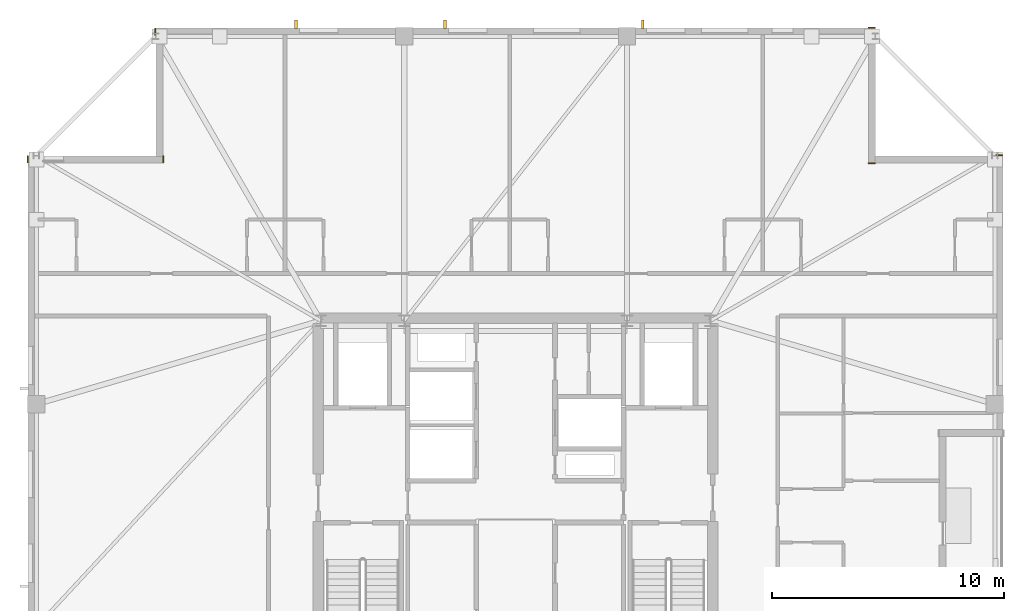
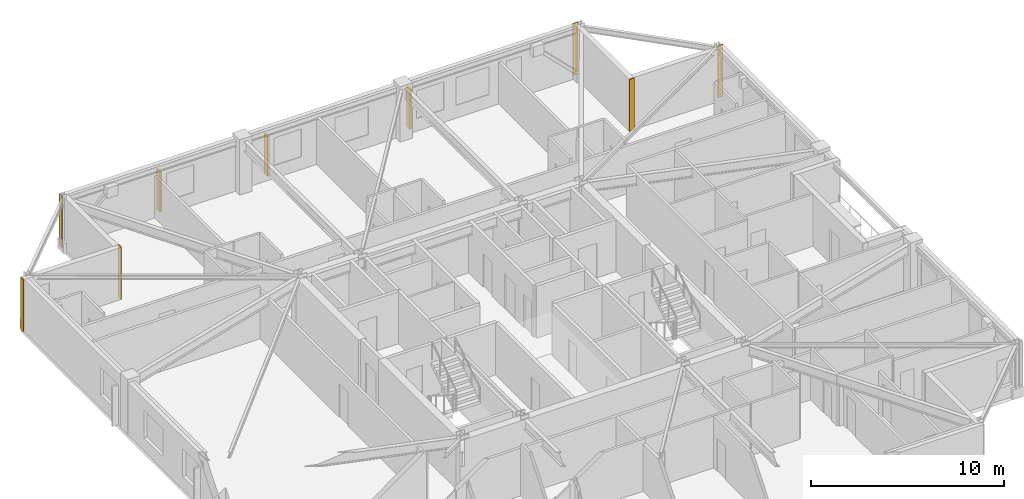
# One storey, part 15 of 15: 6 coverings, 3 shading devices.
"""IFC4 building model written with IfcOpenShell, lengths in metres."""

from ifc_helpers import new_model, si_unit, direction, frame, frame_2d, origin, origin_2d, place, context, subcontext, project, spatial, rectangle, extrude, material, layer, layer_set, type_object, element, save


model = new_model("IFC4")

# Units and contexts
model_context = context("Model", 3, precision=1e-05, world=origin(), true_north=direction((0.0, 1.0)))
body_context = subcontext(model_context, "Body", "Model", "MODEL_VIEW")
ifc_project = project(units=[si_unit("LENGTHUNIT", "METRE"), si_unit("AREAUNIT", "SQUARE_METRE"), si_unit("VOLUMEUNIT", "CUBIC_METRE"), si_unit("PLANEANGLEUNIT", "RADIAN"), si_unit("MASSUNIT", "GRAM", prefix="KILO")], contexts=[model_context])

# Site, building, storey
site_placement = place(None, origin())
site = spatial("IfcSite", under=ifc_project, at=site_placement, CompositionType="ELEMENT")
building_placement = place(site_placement, origin())
building = spatial("IfcBuilding", under=site, at=building_placement, Name="Cairnveth Concourse Tower", CompositionType="ELEMENT")
storey_placement = place(building_placement, frame((0.0, 0.0, 305.0)))
storey = spatial("IfcBuildingStorey", under=building, at=storey_placement, Name="L84", CompositionType="ELEMENT", Elevation=305.0)

# Coverings
ifc_material_1 = material(Name="Dressed Melbourne Bluestone Cladding", Category="masonry")
ifc_layer = layer(ifc_material_1, 0.050048828125)
ifc_layer_set = layer_set([ifc_layer], Name="Dressed Melbourne Bluestone Cladding")
covering_type = type_object("IfcCoveringType", Name="DRESSED BLUESTONE PLINTH CLADDING 50", PredefinedType="CLADDING", material=ifc_layer_set)
for number, where, z_axis, x_axis, name in (
    (1, (30.97998046875, 54.199951171875, 0.0), (0.0, 0.0, 1.0), (0.0, 1.0, 0.0), "Melbourne Bluestone Corner Quoin L84-1282"),
    (2, (36.820068359375, 54.199951171875, 0.0), (0.0, 0.0, 1.0), (0.0, 1.0, 0.0), "Melbourne Bluestone Corner Quoin L84-1283"),
    (3, (36.47998046875, 59.699951171875, 0.0), (0.0, 0.0, 1.0), (0.0, 1.0, 0.0), "Melbourne Bluestone Corner Quoin L84-1284"),
    (4, (67.199951171875, 60.02001953125, 0.0), (0.0, 0.0, 1.0), (1.0, 0.0, 0.0), "Melbourne Bluestone Corner Quoin L84-1285"),
    (5, (67.199951171875, 54.179931640625, 0.0), (0.0, 0.0, 1.0), (1.0, 0.0, 0.0), "Melbourne Bluestone Corner Quoin L84-1286"),
    (6, (72.699951171875, 54.52001953125, 0.0), (0.0, 0.0, 1.0), (1.0, 0.0, 0.0), "Melbourne Bluestone Corner Quoin L84-1287"),
):
    element("IfcCovering", number, at=place(storey_placement, frame(where, z_axis=z_axis, x_axis=x_axis)), inside=storey, type_object=covering_type, Name=name, PredefinedType="CLADDING", context=body_context, shape_type="SweptSolid", body=[
        extrude(rectangle(XDim=0.300048828125, YDim=0.050048828125, at=frame_2d((0.14990234375, 0.0))), origin(), (0.0, 0.0, 1.0), 3.2900390625),
    ])

# Shading devices
ifc_material_2 = material(Name="Architectural Bronze Anodised Aluminium 6063-T6", Category="aluminium")
shading_device_type = type_object("IfcShadingDeviceType", Name="GOTHIC BRONZE VERTICAL LANCET FIN", PredefinedType="USERDEFINED", material=ifc_material_2)
for number, where, z_axis, x_axis, name in (
    (7, (42.533447265625, 60.175048828125, 0.030029296875), (0.0, 0.0, 1.0), (1.0, 0.0, 0.0), "Gothic Bronze Vertical Fin L84-9-1"),
    (8, (48.95751953125, 60.175048828125, 0.030029296875), (0.0, 0.0, 1.0), (1.0, 0.0, 0.0), "Gothic Bronze Vertical Fin L84-9-3"),
    (9, (57.4814453125, 60.175048828125, 0.030029296875), (0.0, 0.0, 1.0), (1.0, 0.0, 0.0), "Gothic Bronze Vertical Fin L84-9-5"),
):
    element("IfcShadingDevice", number, at=place(storey_placement, frame(where, z_axis=z_axis, x_axis=x_axis)), inside=storey, type_object=shading_device_type, Name=name, ObjectType="VERTICAL FIN", PredefinedType="USERDEFINED", context=body_context, shape_type="SweptSolid", body=[
        extrude(rectangle(XDim=0.1201171875, YDim=0.360107421875, at=origin_2d()), origin(), (0.0, 0.0, 1.0), 2.51806640625),
    ])

save(model, "model.ifc")
